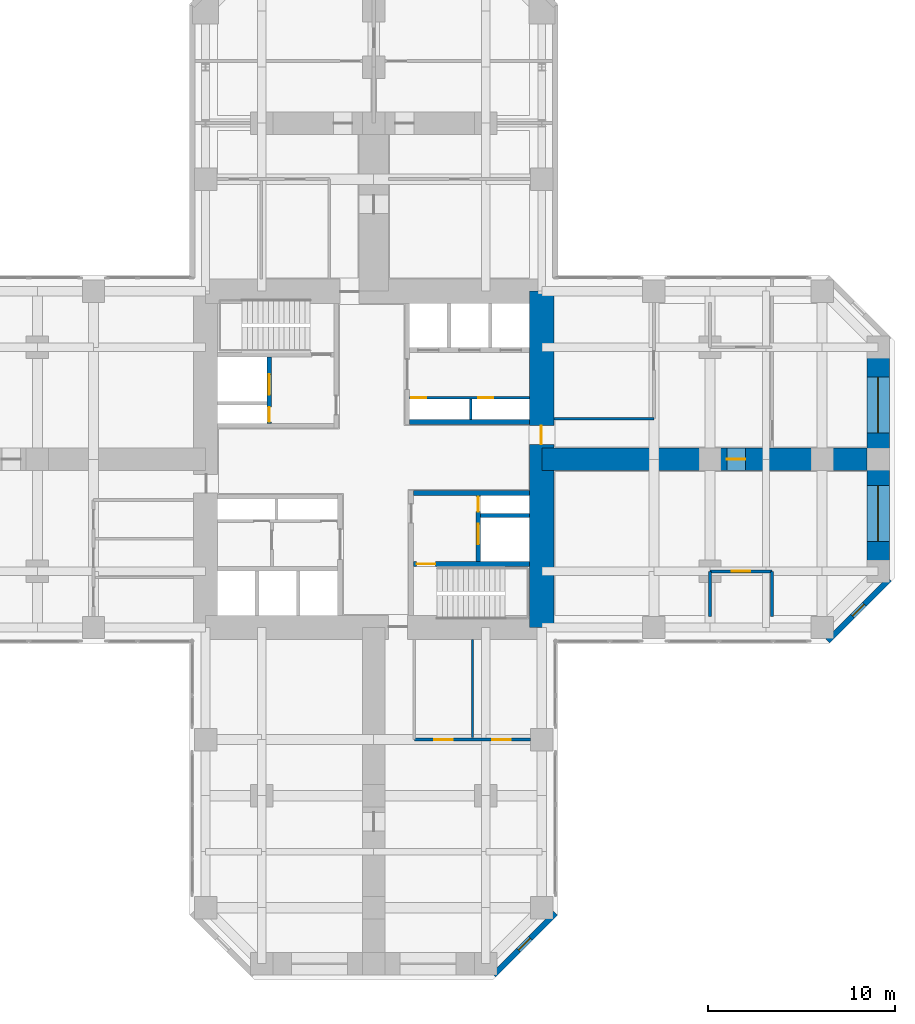
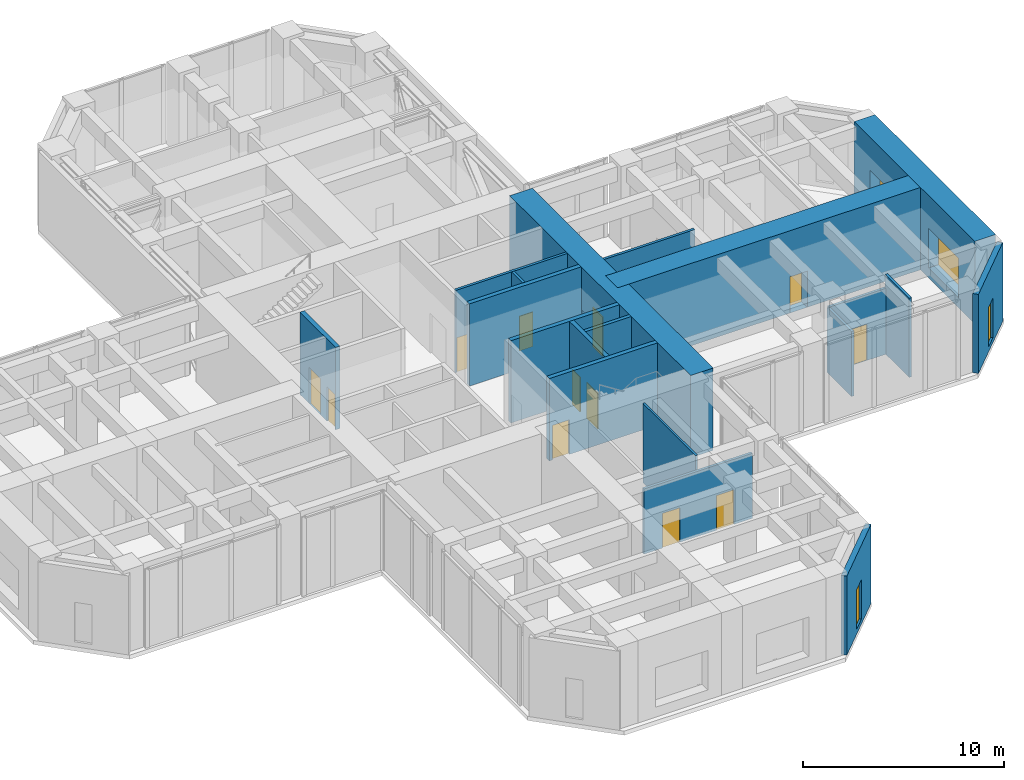
# One storey, part 8 of 11: 19 walls, 12 doors, 4 windows, 16 openings.
"""IFC4 building model written with IfcOpenShell, lengths in metres."""

from ifc_helpers import new_model, si_unit, direction, frame, frame_2d, origin, place, context, subcontext, project, spatial, rectangle, hollow_rectangle, extrude, material, layer, layer_set, constituent, constituent_set, type_object, element, fill, save


model = new_model("IFC4")

# Units and contexts
model_context = context("Model", 3, precision=1e-05, world=origin(), true_north=direction((0.0, 1.0)))
body_context = subcontext(model_context, "Body", "Model", "MODEL_VIEW")
ifc_project = project(units=[si_unit("LENGTHUNIT", "METRE"), si_unit("AREAUNIT", "SQUARE_METRE"), si_unit("VOLUMEUNIT", "CUBIC_METRE"), si_unit("PLANEANGLEUNIT", "RADIAN"), si_unit("MASSUNIT", "GRAM", prefix="KILO")], contexts=[model_context])

# Site, building, storey
site_placement = place(None, origin())
site = spatial("IfcSite", under=ifc_project, at=site_placement, CompositionType="ELEMENT")
building_placement = place(site_placement, origin())
building = spatial("IfcBuilding", under=site, at=building_placement, Name="Torre Cruceta", CompositionType="ELEMENT")
storey_placement = place(building_placement, frame((0.0, 0.0, 95.5)))
storey = spatial("IfcBuildingStorey", under=building, at=storey_placement, Name="L23", CompositionType="ELEMENT", Elevation=95.5)

# Wall
ifc_material_1 = material(Name="Concrete G60 (fck 60 MPa)", Category="concrete")
ifc_layer_1 = layer(ifc_material_1, 0.25)
ifc_layer_set_1 = layer_set([ifc_layer_1], Name="Concrete G60 (fck 60 MPa)")
wall_type_1 = type_object("IfcWallType", Name="CORE INNER WALL 250 G60", PredefinedType="SHEAR", material=ifc_layer_set_1)
wall_1_placement = place(storey_placement, frame((1.925048828125, 2.0, 0.0), z_axis=(0.0, 0.0, 1.0), x_axis=(1.0, 0.0, 0.0)))
element("IfcWall", 1, at=wall_1_placement, inside=storey, type_object=wall_type_1, Name="CW4 L23 NE-CV", PredefinedType="SHEAR", context=body_context, shape_type="SweptSolid", body=[
    extrude(rectangle(XDim=6.425048828125, YDim=0.25, at=frame_2d((3.21240234375, 0.0))), origin(), (0.0, 0.0, 1.0), 5.0),
])

# Wall, openings, doors
wall_2_placement = place(storey_placement, frame((-5.60009765625, 1.925048828125, 0.0), z_axis=(0.0, 0.0, 1.0), x_axis=(0.0, 1.0, 0.0)))
wall_2 = element("IfcWall", 2, at=wall_2_placement, inside=storey, type_object=wall_type_1, Name="CW4 L23 NW-FU", PredefinedType="SHEAR", context=body_context, shape_type="SweptSolid", body=[
    extrude(rectangle(XDim=3.550048828125, YDim=0.25, at=frame_2d((1.77490234375, 0.0))), origin(), (0.0, 0.0, 1.0), 5.0),
])
opening_1_placement = place(wall_2_placement, frame((1.52490234375, 0.0, 0.0)))
opening_1 = element("IfcOpeningElement", 3, at=opening_1_placement, cuts=wall_2, Name="Opening LD1", PredefinedType="OPENING", context=body_context, shape_type="SweptSolid", body=[
    extrude(rectangle(XDim=1.10009765625, YDim=2.199951171875, at=frame_2d((0.550048828125, 1.10009765625))), frame((0.0, 0.135009765625, 0.0), z_axis=(0.0, -1.0, 0.0), x_axis=(1.0, 0.0, 0.0)), (0.0, 0.0, 1.0), 0.27001953125),
])
opening_2_placement = place(wall_2_placement, frame((0.074951171875, 0.0, 0.0)))
opening_2 = element("IfcOpeningElement", 4, at=opening_2_placement, cuts=wall_2, Name="Opening D5", PredefinedType="OPENING", context=body_context, shape_type="SweptSolid", body=[
    extrude(rectangle(XDim=0.800048828125, YDim=2.10009765625, at=frame_2d((0.39990234375, 1.050048828125))), frame((0.0, 0.135009765625, 0.0), z_axis=(0.0, -1.0, 0.0), x_axis=(1.0, 0.0, 0.0)), (0.0, 0.0, 1.0), 0.27001953125),
])
ifc_material_2 = material(Name="Stainless steel 1.4401", Category="steel")
door_type_1 = type_object("IfcDoorType", Name="LIFT LANDING DOOR 1100X2200", OperationType="DOUBLE_DOOR_SLIDING", PredefinedType="DOOR", material=ifc_material_2)
door_1_placement = place(opening_1_placement, origin())
door_1 = element("IfcDoor", 5, at=door_1_placement, inside=storey, type_object=door_type_1, Name="Lift landing door FL1", OperationType="DOUBLE_DOOR_SLIDING", OverallHeight=2.199951171875, OverallWidth=1.10009765625, PredefinedType="DOOR", context=body_context, shape_type="SweptSolid", body=[
    extrude(rectangle(XDim=1.10009765625, YDim=2.199951171875, at=frame_2d((0.550048828125, 1.10009765625))), frame((0.0, 0.02490234375, 0.0), z_axis=(0.0, -1.0, 0.0), x_axis=(1.0, 0.0, 0.0)), (0.0, 0.0, 1.0), 0.050048828125),
])
fill(opening_1, door_1)
ifc_material_3 = material(Name="Steel DX51D", Category="steel")
ifc_constituent_1 = constituent(ifc_material_3, Name="Leaf and frame")
ifc_material_4 = material(Name="Polyester powder coating", Category="paint")
ifc_constituent_2 = constituent(ifc_material_4, Name="Finish")
ifc_constituent_set_1 = constituent_set(constituents=[ifc_constituent_1, ifc_constituent_2], Name="Steel fire door")
door_type_2 = type_object("IfcDoorType", Name="RISER ACCESS DOOR 800X2100", OperationType="SINGLE_SWING_LEFT", PredefinedType="DOOR", material=ifc_constituent_set_1)
door_2_placement = place(opening_2_placement, origin())
door_2 = element("IfcDoor", 6, at=door_2_placement, inside=storey, type_object=door_type_2, Name="D5 L23 NW-RISER", OperationType="SINGLE_SWING_LEFT", OverallHeight=2.10009765625, OverallWidth=0.800048828125, PredefinedType="DOOR", context=body_context, shape_type="SweptSolid", body=[
    extrude(rectangle(XDim=0.800048828125, YDim=2.10009765625, at=frame_2d((0.39990234375, 1.050048828125))), frame((0.0, 0.02490234375, 0.0), z_axis=(0.0, -1.0, 0.0), x_axis=(1.0, 0.0, 0.0)), (0.0, 0.0, 1.0), 0.050048828125),
])
fill(opening_2, door_2)

# Wall
wall_3_placement = place(storey_placement, frame((2.125, -1.800048828125, 0.0), z_axis=(0.0, 0.0, 1.0), x_axis=(1.0, 0.0, 0.0)))
element("IfcWall", 7, at=wall_3_placement, inside=storey, type_object=wall_type_1, Name="CW4 L23 SE-CV", PredefinedType="SHEAR", context=body_context, shape_type="SweptSolid", body=[
    extrude(rectangle(XDim=6.22509765625, YDim=0.25, at=frame_2d((3.112548828125, 0.0))), origin(), (0.0, 0.0, 1.0), 5.0),
])

# Wall, opening, door
wall_4_placement = place(storey_placement, frame((2.125, -5.60009765625, 0.0), z_axis=(0.0, 0.0, 1.0), x_axis=(1.0, 0.0, 0.0)))
wall_4 = element("IfcWall", 8, at=wall_4_placement, inside=storey, type_object=wall_type_1, Name="CW4 L23 SE-SV", PredefinedType="SHEAR", context=body_context, shape_type="SweptSolid", body=[
    extrude(rectangle(XDim=6.22509765625, YDim=0.25, at=frame_2d((3.112548828125, 0.0))), origin(), (0.0, 0.0, 1.0), 5.0),
])
opening_3_placement = place(wall_4_placement, frame((0.175048828125, 0.0, 0.0)))
opening_3 = element("IfcOpeningElement", 9, at=opening_3_placement, cuts=wall_4, Name="Opening D3", PredefinedType="OPENING", context=body_context, shape_type="SweptSolid", body=[
    extrude(rectangle(XDim=1.0, YDim=2.10009765625, at=frame_2d((0.5, 1.050048828125))), frame((0.0, 0.135009765625, 0.0), z_axis=(0.0, -1.0, 0.0), x_axis=(1.0, 0.0, 0.0)), (0.0, 0.0, 1.0), 0.27001953125),
])
ifc_material_5 = material(Name="Steel DX51D", Category="steel")
ifc_constituent_3 = constituent(ifc_material_5, Name="Leaf and frame")
ifc_material_6 = material(Name="Polyester powder coating", Category="paint")
ifc_constituent_4 = constituent(ifc_material_6, Name="Finish")
ifc_constituent_set_2 = constituent_set(constituents=[ifc_constituent_3, ifc_constituent_4], Name="Steel fire door")
door_type_3 = type_object("IfcDoorType", Name="FIRE DOOR 1000X2100", OperationType="SINGLE_SWING_LEFT", PredefinedType="DOOR", material=ifc_constituent_set_2)
door_3_placement = place(opening_3_placement, frame((1.0, 0.0, 0.0), z_axis=(0.0, 0.0, 1.0), x_axis=(-1.0, 0.0, 0.0)))
door_3 = element("IfcDoor", 10, at=door_3_placement, inside=storey, type_object=door_type_3, Name="D3 L23 SE-STAIR", OperationType="SINGLE_SWING_RIGHT", OverallHeight=2.10009765625, OverallWidth=1.0, PredefinedType="DOOR", context=body_context, shape_type="SweptSolid", body=[
    extrude(rectangle(XDim=1.0, YDim=2.10009765625, at=frame_2d((0.5, 1.050048828125))), frame((0.0, 0.025146484375, 0.0), z_axis=(0.0, -1.0, 0.0), x_axis=(1.0, 0.0, 0.0)), (0.0, 0.0, 1.0), 0.050048828125),
])
fill(opening_3, door_3)

# Wall, openings, doors
wall_5_placement = place(storey_placement, frame((5.60009765625, -1.925048828125, 0.0), z_axis=(0.0, 0.0, 1.0), x_axis=(0.0, -1.0, 0.0)))
wall_5 = element("IfcWall", 11, at=wall_5_placement, inside=storey, type_object=wall_type_1, Name="CW4 L23 SE-FU", PredefinedType="SHEAR", context=body_context, shape_type="SweptSolid", body=[
    extrude(rectangle(XDim=3.550048828125, YDim=0.25, at=frame_2d((1.77490234375, 0.0))), origin(), (0.0, 0.0, 1.0), 5.0),
])
opening_4_placement = place(wall_5_placement, frame((1.52490234375, 0.0, 0.0)))
opening_4 = element("IfcOpeningElement", 12, at=opening_4_placement, cuts=wall_5, Name="Opening LD1", PredefinedType="OPENING", context=body_context, shape_type="SweptSolid", body=[
    extrude(rectangle(XDim=1.10009765625, YDim=2.199951171875, at=frame_2d((0.550048828125, 1.10009765625))), frame((0.0, 0.135009765625, 0.0), z_axis=(0.0, -1.0, 0.0), x_axis=(1.0, 0.0, 0.0)), (0.0, 0.0, 1.0), 0.27001953125),
])
opening_5_placement = place(wall_5_placement, frame((0.074951171875, 0.0, 0.0)))
opening_5 = element("IfcOpeningElement", 13, at=opening_5_placement, cuts=wall_5, Name="Opening D5", PredefinedType="OPENING", context=body_context, shape_type="SweptSolid", body=[
    extrude(rectangle(XDim=0.800048828125, YDim=2.10009765625, at=frame_2d((0.39990234375, 1.050048828125))), frame((0.0, 0.135009765625, 0.0), z_axis=(0.0, -1.0, 0.0), x_axis=(1.0, 0.0, 0.0)), (0.0, 0.0, 1.0), 0.27001953125),
])
door_4_placement = place(opening_4_placement, origin())
door_4 = element("IfcDoor", 14, at=door_4_placement, inside=storey, type_object=door_type_1, Name="Lift landing door FL2", OperationType="DOUBLE_DOOR_SLIDING", OverallHeight=2.199951171875, OverallWidth=1.10009765625, PredefinedType="DOOR", context=body_context, shape_type="SweptSolid", body=[
    extrude(rectangle(XDim=1.10009765625, YDim=2.199951171875, at=frame_2d((0.550048828125, 1.10009765625))), frame((0.0, 0.02490234375, 0.0), z_axis=(0.0, -1.0, 0.0), x_axis=(1.0, 0.0, 0.0)), (0.0, 0.0, 1.0), 0.050048828125),
])
fill(opening_4, door_4)
door_5_placement = place(opening_5_placement, origin())
door_5 = element("IfcDoor", 15, at=door_5_placement, inside=storey, type_object=door_type_2, Name="D5 L23 SE-RISER", OperationType="SINGLE_SWING_LEFT", OverallHeight=2.10009765625, OverallWidth=0.800048828125, PredefinedType="DOOR", context=body_context, shape_type="SweptSolid", body=[
    extrude(rectangle(XDim=0.800048828125, YDim=2.10009765625, at=frame_2d((0.39990234375, 1.050048828125))), frame((0.0, 0.02490234375, 0.0), z_axis=(0.0, -1.0, 0.0), x_axis=(1.0, 0.0, 0.0)), (0.0, 0.0, 1.0), 0.050048828125),
])
fill(opening_5, door_5)

# Wall, opening, door
ifc_material_7 = material(Name="Concrete G60 (fck 60 MPa)", Category="concrete")
ifc_layer_2 = layer(ifc_material_7, 1.300048828125)
ifc_layer_set_2 = layer_set([ifc_layer_2], Name="Concrete G60 (fck 60 MPa)")
wall_type_2 = type_object("IfcWallType", Name="CORE WALL 1300 G60", PredefinedType="SHEAR", material=ifc_layer_set_2)
wall_6_placement = place(storey_placement, frame((9.0, -9.0, 0.0), z_axis=(0.0, 0.0, 1.0), x_axis=(0.0, 1.0, 0.0)))
wall_6 = element("IfcWall", 16, at=wall_6_placement, inside=storey, type_object=wall_type_2, Name="CW1 L23 CW-E", PredefinedType="SHEAR", context=body_context, shape_type="SweptSolid", body=[
    extrude(rectangle(XDim=18.0, YDim=1.300048828125, at=frame_2d((9.0, 0.0))), origin(), (0.0, 0.0, 1.0), 5.0),
])
opening_6_placement = place(wall_6_placement, frame((9.800048828125, 0.0, 0.0)))
opening_6 = element("IfcOpeningElement", 17, at=opening_6_placement, cuts=wall_6, Name="Opening D4", PredefinedType="OPENING", context=body_context, shape_type="SweptSolid", body=[
    extrude(rectangle(XDim=1.0, YDim=2.39990234375, at=frame_2d((0.5, 1.199951171875))), frame((0.0, 0.659912109375, 0.0), z_axis=(0.0, -1.0, 0.0), x_axis=(1.0, 0.0, 0.0)), (0.0, 0.0, 1.0), 1.320068359375),
])
ifc_material_8 = material(Name="Steel DX51D", Category="steel")
ifc_constituent_5 = constituent(ifc_material_8, Name="Leaf and frame")
ifc_material_9 = material(Name="Polyester powder coating", Category="paint")
ifc_constituent_6 = constituent(ifc_material_9, Name="Finish")
ifc_constituent_set_3 = constituent_set(constituents=[ifc_constituent_5, ifc_constituent_6], Name="Steel fire door")
door_type_4 = type_object("IfcDoorType", Name="CORE ARM DOOR 1000X2400", OperationType="SINGLE_SWING_RIGHT", PredefinedType="DOOR", material=ifc_constituent_set_3)
door_6_placement = place(opening_6_placement, origin())
door_6 = element("IfcDoor", 18, at=door_6_placement, inside=storey, type_object=door_type_4, Name="D4 L23 CW-E", OperationType="SINGLE_SWING_RIGHT", OverallHeight=2.39990234375, OverallWidth=1.0, PredefinedType="DOOR", context=body_context, shape_type="SweptSolid", body=[
    extrude(rectangle(XDim=1.0, YDim=2.39990234375, at=frame_2d((0.5, 1.199951171875))), frame((0.0, 0.05517578125, 0.0), z_axis=(0.0, -1.0, 0.0), x_axis=(1.0, 0.0, 0.0)), (0.0, 0.0, 1.0), 0.050048828125),
])
fill(opening_6, door_6)

# Wall, opening, window
ifc_material_10 = material(Name="Concrete G30 (fck 30 MPa)", Category="concrete")
ifc_layer_3 = layer(ifc_material_10, 0.300048828125)
ifc_layer_set_3 = layer_set([ifc_layer_3], Name="Concrete G30 (fck 30 MPa)")
wall_type_3 = type_object("IfcWallType", Name="EXPOSED CONCRETE FACADE WALL 300", PredefinedType="SOLIDWALL", material=ifc_layer_set_3)
wall_7_placement = place(storey_placement, frame((24.29833984375, -9.719970703125, 0.0), z_axis=(0.0, 0.0, 1.0), x_axis=(0.707106781187, 0.707106781187, 0.0)))
wall_7 = element("IfcWall", 19, at=wall_7_placement, inside=storey, type_object=wall_type_3, Name="EW1 facade wall L23 E chamfer 01", PredefinedType="SOLIDWALL", context=body_context, shape_type="SweptSolid", body=[
    extrude(rectangle(XDim=4.66943359375, YDim=0.300048828125, at=frame_2d((2.334716796875, 0.0))), origin(), (0.0, 0.0, 1.0), 4.800048828125),
])
opening_7_placement = place(wall_7_placement, frame((1.884765625, 0.0, 0.300048828125)))
opening_7 = element("IfcOpeningElement", 20, at=opening_7_placement, cuts=wall_7, Name="Opening WN5", PredefinedType="OPENING", context=body_context, shape_type="SweptSolid", body=[
    extrude(rectangle(XDim=0.89990234375, YDim=2.39990234375, at=frame_2d((0.449951171875, 1.199951171875))), frame((0.0, 0.159912109375, 0.0), z_axis=(0.0, -1.0, 0.0), x_axis=(1.0, 0.0, 0.0)), (0.0, 0.0, 1.0), 0.320068359375),
])
ifc_material_11 = material(Name="Aluminium window frame", Category="aluminium")
ifc_constituent_7 = constituent(ifc_material_11, Name="Frame")
ifc_material_12 = material(Name="Laminated insulating glass unit, low-iron clear", Category="glass")
ifc_constituent_8 = constituent(ifc_material_12, Name="Glazing")
ifc_constituent_set_4 = constituent_set(constituents=[ifc_constituent_7, ifc_constituent_8], Name="Aluminium window")
window_type_1 = type_object("IfcWindowType", Name="CHAMFER SLOT WINDOW 900X2400", PartitioningType="SINGLE_PANEL", PredefinedType="WINDOW", material=ifc_constituent_set_4)
window_1_placement = place(opening_7_placement, origin())
window_1 = element("IfcWindow", 21, at=window_1_placement, inside=storey, type_object=window_type_1, Name="WN5 L23 E 1", OverallHeight=2.39990234375, OverallWidth=0.89990234375, PartitioningType="SINGLE_PANEL", PredefinedType="WINDOW", context=body_context, shape_type="SweptSolid", body=[
    extrude(hollow_rectangle(XDim=0.89990234375, YDim=2.39990234375, WallThickness=0.06005859375, at=frame_2d((0.449951171875, 1.199951171875))), frame((0.0, 0.030029296875, 0.0), z_axis=(0.0, -1.0, 0.0), x_axis=(1.0, 0.0, 0.0)), (0.0, 0.0, 1.0), 0.06005859375),
    extrude(rectangle(XDim=0.77880859375, YDim=2.27880859375, at=frame_2d((0.449951171875, 1.199951171875))), frame((0.0, 0.030029296875, 0.0), z_axis=(0.0, -1.0, 0.0), x_axis=(1.0, 0.0, 0.0)), (0.0, 0.0, 1.0), 0.06005859375),
])
fill(opening_7, window_1)

wall_8_placement = place(storey_placement, frame((6.418212890625, -27.60009765625, 0.0), z_axis=(0.0, 0.0, 1.0), x_axis=(0.707106781187, 0.707106781187, 0.0)))
wall_8 = element("IfcWall", 22, at=wall_8_placement, inside=storey, type_object=wall_type_3, Name="EW1 facade wall L23 S chamfer 18", PredefinedType="SOLIDWALL", context=body_context, shape_type="SweptSolid", body=[
    extrude(rectangle(XDim=4.66943359375, YDim=0.300048828125, at=frame_2d((2.334716796875, 0.0))), origin(), (0.0, 0.0, 1.0), 4.800048828125),
])
opening_8_placement = place(wall_8_placement, frame((1.884765625, 0.0, 0.300048828125)))
opening_8 = element("IfcOpeningElement", 23, at=opening_8_placement, cuts=wall_8, Name="Opening WN5", PredefinedType="OPENING", context=body_context, shape_type="SweptSolid", body=[
    extrude(rectangle(XDim=0.89990234375, YDim=2.39990234375, at=frame_2d((0.449951171875, 1.199951171875))), frame((0.0, 0.159912109375, 0.0), z_axis=(0.0, -1.0, 0.0), x_axis=(1.0, 0.0, 0.0)), (0.0, 0.0, 1.0), 0.320068359375),
])
window_2_placement = place(opening_8_placement, origin())
window_2 = element("IfcWindow", 24, at=window_2_placement, inside=storey, type_object=window_type_1, Name="WN5 L23 S 1", OverallHeight=2.39990234375, OverallWidth=0.89990234375, PartitioningType="SINGLE_PANEL", PredefinedType="WINDOW", context=body_context, shape_type="SweptSolid", body=[
    extrude(hollow_rectangle(XDim=0.89990234375, YDim=2.39990234375, WallThickness=0.06005859375, at=frame_2d((0.449951171875, 1.199951171875))), frame((0.0, 0.030029296875, 0.0), z_axis=(0.0, -1.0, 0.0), x_axis=(1.0, 0.0, 0.0)), (0.0, 0.0, 1.0), 0.06005859375),
    extrude(rectangle(XDim=0.77880859375, YDim=2.27880859375, at=frame_2d((0.449951171875, 1.199951171875))), frame((0.0, 0.030029296875, 0.0), z_axis=(0.0, -1.0, 0.0), x_axis=(1.0, 0.0, 0.0)), (0.0, 0.0, 1.0), 0.06005859375),
])
fill(opening_8, window_2)

# Wall
ifc_material_13 = material(Name="Concrete G35 (fck 35 MPa)", Category="concrete")
ifc_layer_4 = layer(ifc_material_13, 0.199951171875)
ifc_layer_set_4 = layer_set([ifc_layer_4], Name="Concrete G35 (fck 35 MPa)")
wall_type_4 = type_object("IfcWallType", Name="LIFT SHAFT WALL 200", PredefinedType="PARTITIONING", material=ifc_layer_set_4)
wall_9_placement = place(storey_placement, frame((5.72509765625, -3.0, 0.0), z_axis=(0.0, 0.0, 1.0), x_axis=(1.0, 0.0, 0.0)))
element("IfcWall", 25, at=wall_9_placement, inside=storey, type_object=wall_type_4, Name="SW1 L23 SE-FR", PredefinedType="PARTITIONING", context=body_context, shape_type="SweptSolid", body=[
    extrude(rectangle(XDim=2.625, YDim=0.199951171875, at=frame_2d((1.3125, 0.0))), origin(), (0.0, 0.0, 1.0), 5.0),
])

# Wall, openings, windows
ifc_material_14 = material(Name="Concrete G60 (fck 60 MPa)", Category="concrete")
ifc_layer_5 = layer(ifc_material_14, 1.199951171875)
ifc_layer_set_5 = layer_set([ifc_layer_5], Name="Concrete G60 (fck 60 MPa)")
wall_type_5 = type_object("IfcWallType", Name="NOSE WALL 1200 G60", PredefinedType="SHEAR", material=ifc_layer_set_5)
wall_10_placement = place(storey_placement, frame((27.0, -6.0, 0.0), z_axis=(0.0, 0.0, 1.0), x_axis=(0.0, 1.0, 0.0)))
wall_10 = element("IfcWall", 26, at=wall_10_placement, inside=storey, type_object=wall_type_5, Name="NW1 nose wall L23 E", PredefinedType="SHEAR", context=body_context, shape_type="SweptSolid", body=[
    extrude(rectangle(XDim=12.0, YDim=1.199951171875, at=frame_2d((6.0, 0.0))), origin(), (0.0, 0.0, 1.0), 5.0),
])
opening_9_placement = place(wall_10_placement, frame((1.60009765625, 0.0, 0.60009765625)))
opening_9 = element("IfcOpeningElement", 27, at=opening_9_placement, cuts=wall_10, Name="Opening WN6", PredefinedType="OPENING", context=body_context, shape_type="SweptSolid", body=[
    extrude(rectangle(XDim=3.0, YDim=2.39990234375, at=frame_2d((1.5, 1.199951171875))), frame((0.0, 0.60986328125, 0.0), z_axis=(0.0, -1.0, 0.0), x_axis=(1.0, 0.0, 0.0)), (0.0, 0.0, 1.0), 1.219970703125),
])
opening_10_placement = place(wall_10_placement, frame((7.39990234375, 0.0, 0.60009765625)))
opening_10 = element("IfcOpeningElement", 28, at=opening_10_placement, cuts=wall_10, Name="Opening WN6", PredefinedType="OPENING", context=body_context, shape_type="SweptSolid", body=[
    extrude(rectangle(XDim=3.0, YDim=2.39990234375, at=frame_2d((1.5, 1.199951171875))), frame((0.0, 0.60986328125, 0.0), z_axis=(0.0, -1.0, 0.0), x_axis=(1.0, 0.0, 0.0)), (0.0, 0.0, 1.0), 1.219970703125),
])
ifc_material_15 = material(Name="Aluminium window frame", Category="aluminium")
ifc_constituent_9 = constituent(ifc_material_15, Name="Frame")
ifc_material_16 = material(Name="Laminated insulating glass unit, low-iron clear", Category="glass")
ifc_constituent_10 = constituent(ifc_material_16, Name="Glazing")
ifc_constituent_set_5 = constituent_set(constituents=[ifc_constituent_9, ifc_constituent_10], Name="Aluminium window")
window_type_2 = type_object("IfcWindowType", Name="NOSE WALL WINDOW 3000X2400", PartitioningType="SINGLE_PANEL", PredefinedType="WINDOW", material=ifc_constituent_set_5)
window_3_placement = place(opening_9_placement, origin())
window_3 = element("IfcWindow", 29, at=window_3_placement, inside=storey, type_object=window_type_2, Name="WN6 L23 E 1", OverallHeight=2.39990234375, OverallWidth=3.0, PartitioningType="SINGLE_PANEL", PredefinedType="WINDOW", context=body_context, shape_type="SweptSolid", body=[
    extrude(hollow_rectangle(XDim=3.0, YDim=2.39990234375, WallThickness=0.06005859375, at=frame_2d((1.5, 1.199951171875))), frame((0.0, 0.030029296875, 0.0), z_axis=(0.0, -1.0, 0.0), x_axis=(1.0, 0.0, 0.0)), (0.0, 0.0, 1.0), 0.06005859375),
    extrude(rectangle(XDim=2.87890625, YDim=2.27880859375, at=frame_2d((1.5, 1.199951171875))), frame((0.0, 0.030029296875, 0.0), z_axis=(0.0, -1.0, 0.0), x_axis=(1.0, 0.0, 0.0)), (0.0, 0.0, 1.0), 0.06005859375),
])
fill(opening_9, window_3)
window_4_placement = place(opening_10_placement, origin())
window_4 = element("IfcWindow", 30, at=window_4_placement, inside=storey, type_object=window_type_2, Name="WN6 L23 E 2", OverallHeight=2.39990234375, OverallWidth=3.0, PartitioningType="SINGLE_PANEL", PredefinedType="WINDOW", context=body_context, shape_type="SweptSolid", body=[
    extrude(hollow_rectangle(XDim=3.0, YDim=2.39990234375, WallThickness=0.06005859375, at=frame_2d((1.5, 1.199951171875))), frame((0.0, 0.030029296875, 0.0), z_axis=(0.0, -1.0, 0.0), x_axis=(1.0, 0.0, 0.0)), (0.0, 0.0, 1.0), 0.06005859375),
    extrude(rectangle(XDim=2.87890625, YDim=2.27880859375, at=frame_2d((1.5, 1.199951171875))), frame((0.0, 0.030029296875, 0.0), z_axis=(0.0, -1.0, 0.0), x_axis=(1.0, 0.0, 0.0)), (0.0, 0.0, 1.0), 0.06005859375),
])
fill(opening_10, window_4)

# Wall
ifc_material_17 = material(Name="Plasterboard on steel studs", Category="steel")
ifc_layer_6 = layer(ifc_material_17, 0.14990234375)
ifc_layer_set_6 = layer_set([ifc_layer_6], Name="Plasterboard on steel studs")
wall_type_6 = type_object("IfcWallType", Name="PARTITION 150", PredefinedType="PARTITIONING", material=ifc_layer_set_6)
wall_11_placement = place(storey_placement, frame((9.64990234375, 2.175048828125, 0.0), z_axis=(0.0, 0.0, 1.0), x_axis=(1.0, 0.0, 0.0)))
element("IfcWall", 31, at=wall_11_placement, inside=storey, type_object=wall_type_6, Name="PT1 L23-E-BSL", PredefinedType="PARTITIONING", context=body_context, shape_type="SweptSolid", body=[
    extrude(rectangle(XDim=5.35009765625, YDim=0.14990234375, at=frame_2d((2.675048828125, 0.0))), origin(), (0.0, 0.0, 1.0), 4.800048828125),
])

# Wall, opening, door
wall_12_placement = place(storey_placement, frame((18.0, -6.0, 0.0), z_axis=(0.0, 0.0, 1.0), x_axis=(1.0, 0.0, 0.0)))
wall_12 = element("IfcWall", 32, at=wall_12_placement, inside=storey, type_object=wall_type_6, Name="PT1 L23-E-SRVW", PredefinedType="PARTITIONING", context=body_context, shape_type="SweptSolid", body=[
    extrude(rectangle(XDim=3.320068359375, YDim=0.14990234375, at=frame_2d((1.66015625, 0.0))), origin(), (0.0, 0.0, 1.0), 4.0),
])
opening_11_placement = place(wall_12_placement, frame((1.159912109375, 0.0, 0.0)))
opening_11 = element("IfcOpeningElement", 33, at=opening_11_placement, cuts=wall_12, Name="Opening D14", PredefinedType="OPENING", context=body_context, shape_type="SweptSolid", body=[
    extrude(rectangle(XDim=1.0, YDim=2.199951171875, at=frame_2d((0.5, 1.10009765625))), frame((0.0, 0.0849609375, 0.0), z_axis=(0.0, -1.0, 0.0), x_axis=(1.0, 0.0, 0.0)), (0.0, 0.0, 1.0), 0.169921875),
])
ifc_material_18 = material(Name="Steel DX51D", Category="steel")
ifc_constituent_11 = constituent(ifc_material_18, Name="Leaf and frame")
ifc_material_19 = material(Name="Polyester powder coating", Category="paint")
ifc_constituent_12 = constituent(ifc_material_19, Name="Finish")
ifc_material_20 = material(Name="Fire-resisting glass", Category="glass")
ifc_constituent_13 = constituent(ifc_material_20, Name="Vision panel")
ifc_constituent_set_6 = constituent_set(constituents=[ifc_constituent_11, ifc_constituent_12, ifc_constituent_13], Name="Steel fire door with vision panel")
door_type_5 = type_object("IfcDoorType", Name="FIRE DOOR VISION PANEL 1000X2200", OperationType="SINGLE_SWING_RIGHT", PredefinedType="DOOR", material=ifc_constituent_set_6)
door_7_placement = place(opening_11_placement, frame((1.0, 0.0, 0.0), z_axis=(0.0, 0.0, 1.0), x_axis=(-1.0, 0.0, 0.0)))
door_7 = element("IfcDoor", 34, at=door_7_placement, inside=storey, type_object=door_type_5, Name="D14 L23-E-SRVW-D1", OperationType="SINGLE_SWING_RIGHT", OverallHeight=2.199951171875, OverallWidth=1.0, PredefinedType="DOOR", context=body_context, shape_type="SweptSolid", body=[
    extrude(rectangle(XDim=1.0, YDim=2.199951171875, at=frame_2d((0.5, 1.10009765625))), frame((0.0, 0.025146484375, 0.0), z_axis=(0.0, -1.0, 0.0), x_axis=(1.0, 0.0, 0.0)), (0.0, 0.0, 1.0), 0.050048828125),
])
fill(opening_11, door_7)

# Walls
wall_13_placement = place(storey_placement, frame((18.0, -8.39990234375, 0.0), z_axis=(0.0, 0.0, 1.0), x_axis=(0.0, 1.0, 0.0)))
element("IfcWall", 35, at=wall_13_placement, inside=storey, type_object=wall_type_6, Name="PT1 L23-E-SRVA", PredefinedType="PARTITIONING", context=body_context, shape_type="SweptSolid", body=[
    extrude(rectangle(XDim=2.39990234375, YDim=0.14990234375, at=frame_2d((1.199951171875, 0.0))), origin(), (0.0, 0.0, 1.0), 3.949951171875),
])
wall_14_placement = place(storey_placement, frame((21.320068359375, -8.39990234375, 0.0), z_axis=(0.0, 0.0, 1.0), x_axis=(0.0, 1.0, 0.0)))
element("IfcWall", 36, at=wall_14_placement, inside=storey, type_object=wall_type_6, Name="PT1 L23-E-SRVB", PredefinedType="PARTITIONING", context=body_context, shape_type="SweptSolid", body=[
    extrude(rectangle(XDim=2.39990234375, YDim=0.14990234375, at=frame_2d((1.199951171875, 0.0))), origin(), (0.0, 0.0, 1.0), 4.800048828125),
])

# Wall, openings, doors
wall_15_placement = place(storey_placement, frame((2.175048828125, -15.0, 0.0), z_axis=(0.0, 0.0, 1.0), x_axis=(1.0, 0.0, 0.0)))
wall_15 = element("IfcWall", 37, at=wall_15_placement, inside=storey, type_object=wall_type_6, Name="PT1 L23-S-BFL", PredefinedType="PARTITIONING", context=body_context, shape_type="SweptSolid", body=[
    extrude(rectangle(XDim=6.224853515625, YDim=0.14990234375, at=frame_2d((3.1123046875, 0.0))), origin(), (0.0, 0.0, 1.0), 3.949951171875),
])
opening_12_placement = place(wall_15_placement, frame((1.05615234375, 0.0, 0.0)))
opening_12 = element("IfcOpeningElement", 38, at=opening_12_placement, cuts=wall_15, Name="Opening D3", PredefinedType="OPENING", context=body_context, shape_type="SweptSolid", body=[
    extrude(rectangle(XDim=1.0, YDim=2.10009765625, at=frame_2d((0.5, 1.050048828125))), frame((0.0, 0.0849609375, 0.0), z_axis=(0.0, -1.0, 0.0), x_axis=(1.0, 0.0, 0.0)), (0.0, 0.0, 1.0), 0.169921875),
])
opening_13_placement = place(wall_15_placement, frame((4.168701171875, 0.0, 0.0)))
opening_13 = element("IfcOpeningElement", 39, at=opening_13_placement, cuts=wall_15, Name="Opening D3", PredefinedType="OPENING", context=body_context, shape_type="SweptSolid", body=[
    extrude(rectangle(XDim=1.0, YDim=2.10009765625, at=frame_2d((0.5, 1.050048828125))), frame((0.0, 0.0849609375, 0.0), z_axis=(0.0, -1.0, 0.0), x_axis=(1.0, 0.0, 0.0)), (0.0, 0.0, 1.0), 0.169921875),
])
door_8_placement = place(opening_12_placement, origin())
door_8 = element("IfcDoor", 40, at=door_8_placement, inside=storey, type_object=door_type_3, Name="D3 L23-S-BFL-D1", OperationType="SINGLE_SWING_LEFT", OverallHeight=2.10009765625, OverallWidth=1.0, PredefinedType="DOOR", context=body_context, shape_type="SweptSolid", body=[
    extrude(rectangle(XDim=1.0, YDim=2.10009765625, at=frame_2d((0.5, 1.050048828125))), frame((0.0, 0.02490234375, 0.0), z_axis=(0.0, -1.0, 0.0), x_axis=(1.0, 0.0, 0.0)), (0.0, 0.0, 1.0), 0.050048828125),
])
fill(opening_12, door_8)
door_9_placement = place(opening_13_placement, origin())
door_9 = element("IfcDoor", 41, at=door_9_placement, inside=storey, type_object=door_type_3, Name="D3 L23-S-BFL-D2", OperationType="SINGLE_SWING_LEFT", OverallHeight=2.10009765625, OverallWidth=1.0, PredefinedType="DOOR", context=body_context, shape_type="SweptSolid", body=[
    extrude(rectangle(XDim=1.0, YDim=2.10009765625, at=frame_2d((0.5, 1.050048828125))), frame((0.0, 0.02490234375, 0.0), z_axis=(0.0, -1.0, 0.0), x_axis=(1.0, 0.0, 0.0)), (0.0, 0.0, 1.0), 0.050048828125),
])
fill(opening_13, door_9)

ifc_material_21 = material(Name="Concrete block masonry", Category="masonry")
ifc_layer_7 = layer(ifc_material_21, 0.14990234375)
ifc_layer_set_7 = layer_set([ifc_layer_7], Name="Concrete block masonry")
wall_type_7 = type_object("IfcWallType", Name="RISER WALL 150", PredefinedType="PARTITIONING", material=ifc_layer_set_7)
wall_16_placement = place(storey_placement, frame((1.925048828125, 3.300048828125, 0.0), z_axis=(0.0, 0.0, 1.0), x_axis=(1.0, 0.0, 0.0)))
wall_16 = element("IfcWall", 42, at=wall_16_placement, inside=storey, type_object=wall_type_7, Name="SW7 L23 NE-RV", PredefinedType="PARTITIONING", context=body_context, shape_type="SweptSolid", body=[
    extrude(rectangle(XDim=6.425048828125, YDim=0.14990234375, at=frame_2d((3.21240234375, 0.0))), origin(), (0.0, 0.0, 1.0), 5.0),
])
opening_14_placement = place(wall_16_placement, frame((0.074951171875, 0.0, 0.0)))
opening_14 = element("IfcOpeningElement", 43, at=opening_14_placement, cuts=wall_16, Name="Opening D5", PredefinedType="OPENING", context=body_context, shape_type="SweptSolid", body=[
    extrude(rectangle(XDim=0.800048828125, YDim=2.10009765625, at=frame_2d((0.39990234375, 1.050048828125))), frame((0.0, 0.0849609375, 0.0), z_axis=(0.0, -1.0, 0.0), x_axis=(1.0, 0.0, 0.0)), (0.0, 0.0, 1.0), 0.169921875),
])
opening_15_placement = place(wall_16_placement, frame((3.675048828125, 0.0, 0.0)))
opening_15 = element("IfcOpeningElement", 44, at=opening_15_placement, cuts=wall_16, Name="Opening D5", PredefinedType="OPENING", context=body_context, shape_type="SweptSolid", body=[
    extrude(rectangle(XDim=0.800048828125, YDim=2.10009765625, at=frame_2d((0.39990234375, 1.050048828125))), frame((0.0, 0.0849609375, 0.0), z_axis=(0.0, -1.0, 0.0), x_axis=(1.0, 0.0, 0.0)), (0.0, 0.0, 1.0), 0.169921875),
])
door_10_placement = place(opening_14_placement, frame((0.800048828125, 0.0, 0.0), z_axis=(0.0, 0.0, 1.0), x_axis=(-1.0, 0.0, 0.0)))
door_10 = element("IfcDoor", 45, at=door_10_placement, inside=storey, type_object=door_type_2, Name="D5 L23 NE-RISER1", OperationType="SINGLE_SWING_RIGHT", OverallHeight=2.10009765625, OverallWidth=0.800048828125, PredefinedType="DOOR", context=body_context, shape_type="SweptSolid", body=[
    extrude(rectangle(XDim=0.800048828125, YDim=2.10009765625, at=frame_2d((0.400146484375, 1.050048828125))), frame((0.0, 0.025146484375, 0.0), z_axis=(0.0, -1.0, 0.0), x_axis=(1.0, 0.0, 0.0)), (0.0, 0.0, 1.0), 0.050048828125),
])
fill(opening_14, door_10)
door_11_placement = place(opening_15_placement, frame((0.800048828125, 0.0, 0.0), z_axis=(0.0, 0.0, 1.0), x_axis=(-1.0, 0.0, 0.0)))
door_11 = element("IfcDoor", 46, at=door_11_placement, inside=storey, type_object=door_type_2, Name="D5 L23 NE-RISER2", OperationType="SINGLE_SWING_RIGHT", OverallHeight=2.10009765625, OverallWidth=0.800048828125, PredefinedType="DOOR", context=body_context, shape_type="SweptSolid", body=[
    extrude(rectangle(XDim=0.800048828125, YDim=2.10009765625, at=frame_2d((0.400146484375, 1.050048828125))), frame((0.0, 0.025146484375, 0.0), z_axis=(0.0, -1.0, 0.0), x_axis=(1.0, 0.0, 0.0)), (0.0, 0.0, 1.0), 0.050048828125),
])
fill(opening_15, door_11)

# Wall
wall_17_placement = place(storey_placement, frame((5.199951171875, 2.125, 0.0), z_axis=(0.0, 0.0, 1.0), x_axis=(0.0, 1.0, 0.0)))
element("IfcWall", 47, at=wall_17_placement, inside=storey, type_object=wall_type_7, Name="SW7 L23 NE-RU", PredefinedType="PARTITIONING", context=body_context, shape_type="SweptSolid", body=[
    extrude(rectangle(XDim=1.10009765625, YDim=0.14990234375, at=frame_2d((0.550048828125, 0.0))), origin(), (0.0, 0.0, 1.0), 5.0),
])

# Wall, opening, door
ifc_material_22 = material(Name="Concrete G60 (fck 60 MPa)", Category="concrete")
ifc_layer_8 = layer(ifc_material_22, 1.199951171875)
ifc_layer_set_8 = layer_set([ifc_layer_8], Name="Concrete G60 (fck 60 MPa)")
wall_type_8 = type_object("IfcWallType", Name="SPINE WALL 1200 G60", PredefinedType="SHEAR", material=ifc_layer_set_8)
wall_18_placement = place(storey_placement, frame((9.0, 0.0, 0.0), z_axis=(0.0, 0.0, 1.0), x_axis=(1.0, 0.0, 0.0)))
wall_18 = element("IfcWall", 48, at=wall_18_placement, inside=storey, type_object=wall_type_8, Name="SW3 spine wall L23 E", PredefinedType="SHEAR", context=body_context, shape_type="SweptSolid", body=[
    extrude(rectangle(XDim=18.0, YDim=1.199951171875, at=frame_2d((9.0, 0.0))), origin(), (0.0, 0.0, 1.0), 5.0),
])
opening_16_placement = place(wall_18_placement, frame((9.89990234375, 0.0, 0.0)))
opening_16 = element("IfcOpeningElement", 49, at=opening_16_placement, cuts=wall_18, Name="Opening D14", PredefinedType="OPENING", context=body_context, shape_type="SweptSolid", body=[
    extrude(rectangle(XDim=1.0, YDim=2.199951171875, at=frame_2d((0.5, 1.10009765625))), frame((0.0, 0.60986328125, 0.0), z_axis=(0.0, -1.0, 0.0), x_axis=(1.0, 0.0, 0.0)), (0.0, 0.0, 1.0), 1.219970703125),
])
door_12_placement = place(opening_16_placement, frame((1.0, 0.0, 0.0), z_axis=(0.0, 0.0, 1.0), x_axis=(-1.0, 0.0, 0.0)))
door_12 = element("IfcDoor", 50, at=door_12_placement, inside=storey, type_object=door_type_5, Name="D14 L23-E-SP1", OperationType="SINGLE_SWING_LEFT", OverallHeight=2.199951171875, OverallWidth=1.0, PredefinedType="DOOR", context=body_context, shape_type="SweptSolid", body=[
    extrude(rectangle(XDim=1.0, YDim=2.199951171875, at=frame_2d((0.5, 1.10009765625))), frame((0.0, 0.025146484375, 0.0), z_axis=(0.0, -1.0, 0.0), x_axis=(1.0, 0.0, 0.0)), (0.0, 0.0, 1.0), 0.050048828125),
])
fill(opening_16, door_12)

# Wall
ifc_material_23 = material(Name="Plasterboard on steel studs", Category="steel")
ifc_layer_9 = layer(ifc_material_23, 0.1201171875)
ifc_layer_set_9 = layer_set([ifc_layer_9], Name="Plasterboard on steel studs")
wall_type_9 = type_object("IfcWallType", Name="WC PARTITION 120", PredefinedType="PLUMBINGWALL", material=ifc_layer_set_9)
wall_19_placement = place(storey_placement, frame((5.28759765625, -9.64990234375, 0.0), z_axis=(0.0, 0.0, 1.0), x_axis=(0.0, -1.0, 0.0)))
element("IfcWall", 51, at=wall_19_placement, inside=storey, type_object=wall_type_9, Name="PT5 L23-S-BDL1", PredefinedType="PLUMBINGWALL", context=body_context, shape_type="SweptSolid", body=[
    extrude(rectangle(XDim=5.25, YDim=0.1201171875, at=frame_2d((2.625, 0.0))), origin(), (0.0, 0.0, 1.0), 4.800048828125),
])

save(model, "model.ifc")
